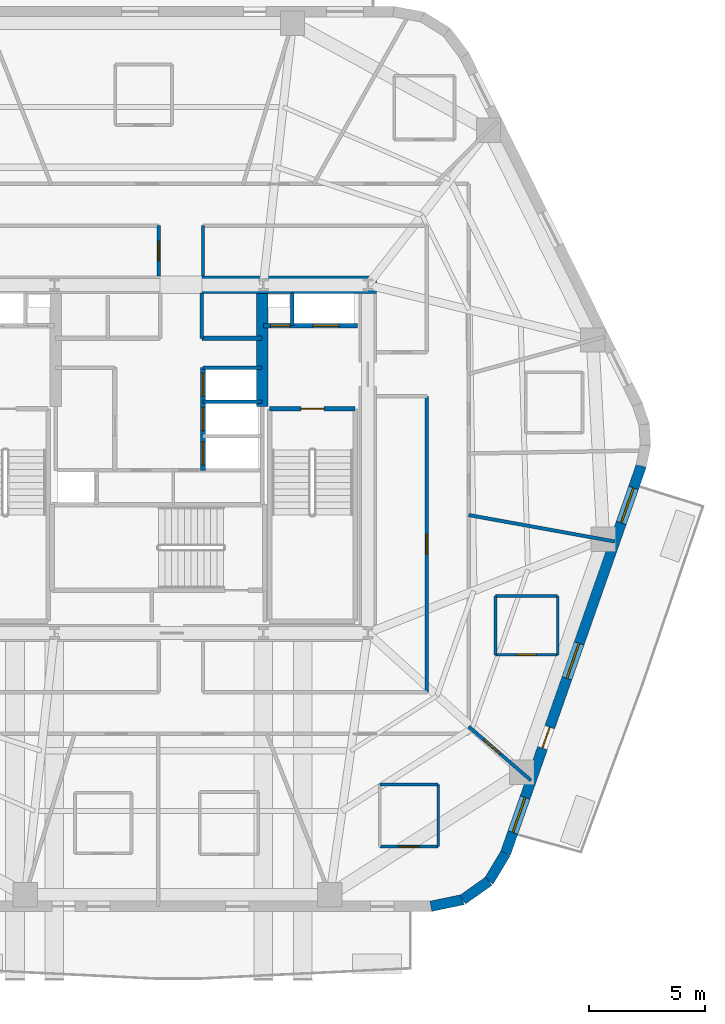
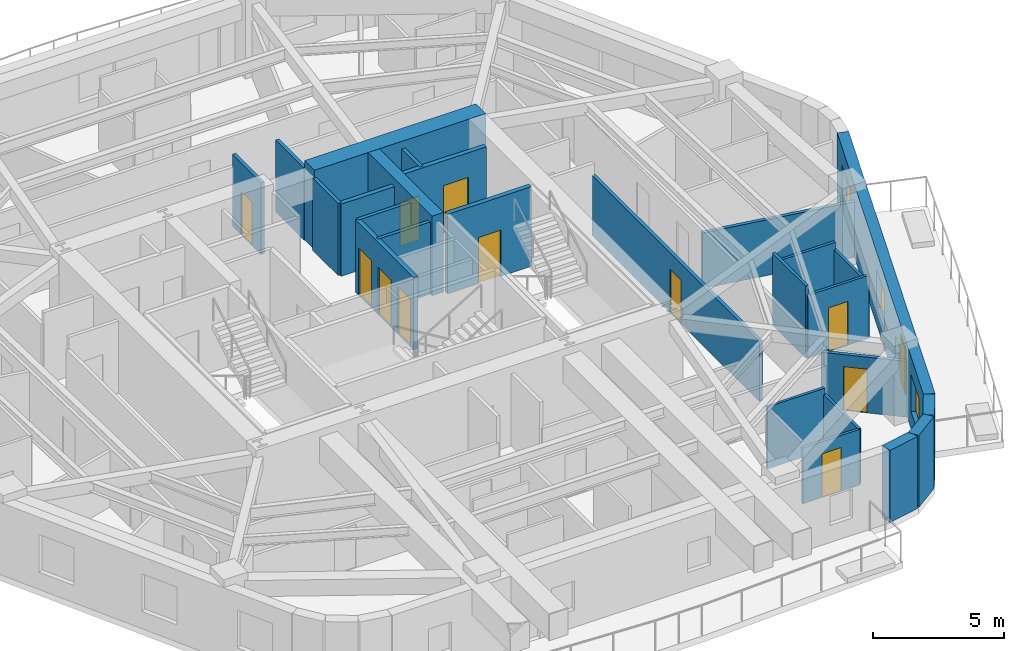
# One storey, part 5 of 11: 26 walls, 12 doors, 3 windows, 15 openings.
"""IFC4 building model written with IfcOpenShell, lengths in metres."""

from ifc_helpers import new_model, si_unit, direction, frame, frame_2d, origin, place, context, subcontext, project, spatial, rectangle, extrude, material, layer, layer_set, type_object, element, fill, save


model = new_model("IFC4")

# Units and contexts
model_context = context("Model", 3, precision=1e-05, world=origin(), true_north=direction((0.0, 1.0)))
body_context = subcontext(model_context, "Body", "Model", "MODEL_VIEW")
ifc_project = project(units=[si_unit("LENGTHUNIT", "METRE"), si_unit("AREAUNIT", "SQUARE_METRE"), si_unit("VOLUMEUNIT", "CUBIC_METRE"), si_unit("PLANEANGLEUNIT", "RADIAN"), si_unit("MASSUNIT", "GRAM", prefix="KILO")], contexts=[model_context])

# Site, building, storey
site_placement = place(None, origin())
site = spatial("IfcSite", under=ifc_project, at=site_placement, CompositionType="ELEMENT")
building_placement = place(site_placement, origin())
building = spatial("IfcBuilding", under=site, at=building_placement, Name="Kilnhurst Terrace Hotel", CompositionType="ELEMENT")
storey_placement = place(building_placement, frame((0.0, 0.0, 197.800048828125)))
storey = spatial("IfcBuildingStorey", under=building, at=storey_placement, Name="L49", CompositionType="ELEMENT", Elevation=197.800048828125)

# Walls
ifc_material_1 = material(Name="Precast concrete C40/50", Category="concrete")
ifc_layer_1 = layer(ifc_material_1, 0.449951171875, Name="Precast concrete C40/50")
ifc_layer_set_1 = layer_set([ifc_layer_1], Name="Precast concrete C40/50")
wall_type_1 = type_object("IfcWallType", Name="WL-BRK-450", PredefinedType="SOLIDWALL", material=ifc_layer_set_1)
wall_1_placement = place(storey_placement, frame((11.720458984375, -19.27490234375, 0.0), z_axis=(0.0, 0.0, 1.0), x_axis=(0.97893106758, 0.204191001093, 0.0)))
element("IfcWall", 1, at=wall_1_placement, inside=storey, type_object=wall_type_1, Name="L49 Rounded Corner Brick Wall C2.1", PredefinedType="SOLIDWALL", context=body_context, shape_type="SweptSolid", body=[
    extrude(rectangle(XDim=1.400146484375, YDim=0.449951171875, at=frame_2d((0.7001953125, 0.0))), origin(), (0.0, 0.0, 1.0), 3.349853515625),
])
wall_2_placement = place(storey_placement, frame((13.091064453125, -18.989013671875, 0.0), z_axis=(0.0, 0.0, 1.0), x_axis=(0.815574637848, 0.578651890258, 0.0)))
element("IfcWall", 2, at=wall_2_placement, inside=storey, type_object=wall_type_1, Name="L49 Rounded Corner Brick Wall C2.2", PredefinedType="SOLIDWALL", context=body_context, shape_type="SweptSolid", body=[
    extrude(rectangle(XDim=1.376708984375, YDim=0.449951171875, at=frame_2d((0.6884765625, 0.0))), origin(), (0.0, 0.0, 1.0), 3.349853515625),
])
wall_3_placement = place(storey_placement, frame((14.2138671875, -18.1923828125, 0.0), z_axis=(0.0, 0.0, 1.0), x_axis=(0.516340945502, 0.856383108193, 0.0)))
element("IfcWall", 3, at=wall_3_placement, inside=storey, type_object=wall_type_1, Name="L49 Rounded Corner Brick Wall C2.3", PredefinedType="SOLIDWALL", context=body_context, shape_type="SweptSolid", body=[
    extrude(rectangle(XDim=1.400146484375, YDim=0.449951171875, at=frame_2d((0.7001953125, 0.0))), origin(), (0.0, 0.0, 1.0), 3.349853515625),
])

# Wall, openings, door, windows
wall_4_placement = place(storey_placement, frame((14.936767578125, -16.993408203125, 0.0), z_axis=(0.0, 0.0, 1.0), x_axis=(0.330431575061, 0.943829949834, 0.0)))
wall_4 = element("IfcWall", 4, at=wall_4_placement, inside=storey, type_object=wall_type_1, Name="L49 Exterior Brick Facade Wall F2", PredefinedType="SOLIDWALL", context=body_context, shape_type="SweptSolid", body=[
    extrude(rectangle(XDim=17.68896484375, YDim=0.449951171875, at=frame_2d((8.844482421875, 0.0))), origin(), (0.0, 0.0, 1.0), 3.349853515625),
])
opening_1_placement = place(wall_4_placement, frame((4.806884765625, 0.0, 0.0)))
opening_1 = element("IfcOpeningElement", 5, at=opening_1_placement, cuts=wall_4, Name="Opening BD-950", PredefinedType="OPENING", context=body_context, shape_type="SweptSolid", body=[
    extrude(rectangle(XDim=0.949951171875, YDim=2.14990234375, at=frame_2d((0.47509765625, 1.074951171875))), frame((0.0, 0.23486328125, 0.0), z_axis=(0.0, -1.0, 0.0), x_axis=(1.0, 0.0, 0.0)), (0.0, 0.0, 1.0), 0.469970703125),
])
opening_2_placement = place(wall_4_placement, frame((0.949951171875, 0.0, 0.800048828125)))
opening_2 = element("IfcOpeningElement", 6, at=opening_2_placement, cuts=wall_4, Name="Opening W-05", PredefinedType="OPENING", context=body_context, shape_type="SweptSolid", body=[
    extrude(rectangle(XDim=1.60009765625, YDim=1.75, at=frame_2d((0.800048828125, 0.875))), frame((0.0, 0.23486328125, 0.0), z_axis=(0.0, -1.0, 0.0), x_axis=(1.0, 0.0, 0.0)), (0.0, 0.0, 1.0), 0.469970703125),
])
opening_3_placement = place(wall_4_placement, frame((7.989990234375, 0.0, 0.800048828125)))
opening_3 = element("IfcOpeningElement", 7, at=opening_3_placement, cuts=wall_4, Name="Opening W-05", PredefinedType="OPENING", context=body_context, shape_type="SweptSolid", body=[
    extrude(rectangle(XDim=1.60009765625, YDim=1.75, at=frame_2d((0.800048828125, 0.875))), frame((0.0, 0.23486328125, 0.0), z_axis=(0.0, -1.0, 0.0), x_axis=(1.0, 0.0, 0.0)), (0.0, 0.0, 1.0), 0.469970703125),
])
opening_4_placement = place(wall_4_placement, frame((15.083984375, 0.0, 0.800048828125)))
opening_4 = element("IfcOpeningElement", 8, at=opening_4_placement, cuts=wall_4, Name="Opening W-05", PredefinedType="OPENING", context=body_context, shape_type="SweptSolid", body=[
    extrude(rectangle(XDim=1.60009765625, YDim=1.75, at=frame_2d((0.800048828125, 0.875))), frame((0.0, 0.23486328125, 0.0), z_axis=(0.0, -1.0, 0.0), x_axis=(1.0, 0.0, 0.0)), (0.0, 0.0, 1.0), 0.469970703125),
])
ifc_material_2 = material(Name="Thermally Broken Bronze Aluminium Alloy 6063-T6 and Laminated Glass", Category="aluminium")
door_type_1 = type_object("IfcDoorType", Name="DR-EXT-BAL-950", OperationType="NOTDEFINED", PredefinedType="DOOR", material=ifc_material_2)
door_1_placement = place(opening_1_placement, origin())
door_1 = element("IfcDoor", 9, at=door_1_placement, inside=storey, type_object=door_type_1, Name="L49 Planted Balcony Door BAL-L1B", OperationType="SINGLE_SWING_RIGHT", OverallHeight=2.14990234375, OverallWidth=0.949951171875, PredefinedType="DOOR", context=body_context, shape_type="SweptSolid", body=[
    extrude(rectangle(XDim=0.949951171875, YDim=2.14990234375, at=frame_2d((0.47509765625, 1.074951171875))), frame((0.0, 0.02490234375, 0.0), z_axis=(0.0, -1.0, 0.0), x_axis=(1.0, 0.0, 0.0)), (0.0, 0.0, 1.0), 0.050048828125),
])
fill(opening_1, door_1)
ifc_material_3 = material(Name="Thermally Broken Bronze Aluminium Alloy 6063-T6 and Low-E Glass", Category="aluminium")
window_type = type_object("IfcWindowType", Name="WIN-1600X1750", PartitioningType="SINGLE_PANEL", PredefinedType="WINDOW", material=ifc_material_3)
window_1_placement = place(opening_2_placement, origin())
window_1 = element("IfcWindow", 10, at=window_1_placement, inside=storey, type_object=window_type, Name="L49 Deep-Set Masonry Window F2.1", OverallHeight=1.75, OverallWidth=1.60009765625, PartitioningType="SINGLE_PANEL", PredefinedType="WINDOW", context=body_context, shape_type="SweptSolid", body=[
    extrude(rectangle(XDim=1.60009765625, YDim=1.75, at=frame_2d((0.800048828125, 0.875))), frame((0.0, 0.030029296875, 0.0), z_axis=(0.0, -1.0, 0.0), x_axis=(1.0, 0.0, 0.0)), (0.0, 0.0, 1.0), 0.06005859375),
])
fill(opening_2, window_1)
window_2_placement = place(opening_3_placement, origin())
window_2 = element("IfcWindow", 11, at=window_2_placement, inside=storey, type_object=window_type, Name="L49 Deep-Set Masonry Window F2.2", OverallHeight=1.75, OverallWidth=1.60009765625, PartitioningType="SINGLE_PANEL", PredefinedType="WINDOW", context=body_context, shape_type="SweptSolid", body=[
    extrude(rectangle(XDim=1.60009765625, YDim=1.75, at=frame_2d((0.800048828125, 0.875))), frame((0.0, 0.030029296875, 0.0), z_axis=(0.0, -1.0, 0.0), x_axis=(1.0, 0.0, 0.0)), (0.0, 0.0, 1.0), 0.06005859375),
])
fill(opening_3, window_2)
window_3_placement = place(opening_4_placement, origin())
window_3 = element("IfcWindow", 12, at=window_3_placement, inside=storey, type_object=window_type, Name="L49 Deep-Set Masonry Window F2.3", OverallHeight=1.75, OverallWidth=1.60009765625, PartitioningType="SINGLE_PANEL", PredefinedType="WINDOW", context=body_context, shape_type="SweptSolid", body=[
    extrude(rectangle(XDim=1.60009765625, YDim=1.75, at=frame_2d((0.800048828125, 0.875))), frame((0.0, 0.030029296875, 0.0), z_axis=(0.0, -1.0, 0.0), x_axis=(1.0, 0.0, 0.0)), (0.0, 0.0, 1.0), 0.06005859375),
])
fill(opening_4, window_3)

# Wall, opening, door
ifc_material_4 = material(Name="Acoustic Double-Gypsum Corridor Partition Assembly")
ifc_layer_2 = layer(ifc_material_4, 0.14990234375, Name="Acoustic Double-Gypsum Corridor Partition Assembly")
ifc_layer_set_2 = layer_set([ifc_layer_2], Name="Acoustic Double-Gypsum Corridor Partition Assembly")
wall_type_2 = type_object("IfcWallType", Name="WL-COR-150", PredefinedType="PARTITIONING", material=ifc_layer_set_2)
wall_5_placement = place(storey_placement, frame((11.550048828125, -10.050048828125, 0.0), z_axis=(0.0, 0.0, 1.0), x_axis=(0.0, 1.0, 0.0)))
wall_5 = element("IfcWall", 13, at=wall_5_placement, inside=storey, type_object=wall_type_2, Name="L49 Interior Wall WL-L49-COR-05", PredefinedType="PARTITIONING", context=body_context, shape_type="SweptSolid", body=[
    extrude(rectangle(XDim=12.75, YDim=0.14990234375, at=frame_2d((6.375, 0.0))), origin(), (0.0, 0.0, 1.0), 2.7900390625),
])
opening_5_placement = place(wall_5_placement, frame((5.949951171875, 0.0, 0.0)))
opening_5 = element("IfcOpeningElement", 14, at=opening_5_placement, cuts=wall_5, Name="Opening D-60D", PredefinedType="OPENING", context=body_context, shape_type="SweptSolid", body=[
    extrude(rectangle(XDim=0.85009765625, YDim=2.030029296875, at=frame_2d((0.425048828125, 1.01513671875))), frame((0.0, 0.0849609375, 0.0), z_axis=(0.0, -1.0, 0.0), x_axis=(1.0, 0.0, 0.0)), (0.0, 0.0, 1.0), 0.169921875),
])
ifc_material_5 = material(Name="Painted Hollow Metal Steel ASTM A36 Riser Door", Category="steel")
door_type_2 = type_object("IfcDoorType", Name="DR-FD60-850", OperationType="NOTDEFINED", PredefinedType="DOOR", material=ifc_material_5)
door_2_placement = place(opening_5_placement, origin())
door_2 = element("IfcDoor", 15, at=door_2_placement, inside=storey, type_object=door_type_2, Name="L49 Floor Electrical Switch Room Door", OperationType="SINGLE_SWING_RIGHT", OverallHeight=2.030029296875, OverallWidth=0.85009765625, PredefinedType="DOOR", context=body_context, shape_type="SweptSolid", body=[
    extrude(rectangle(XDim=0.85009765625, YDim=2.030029296875, at=frame_2d((0.425048828125, 1.01513671875))), frame((0.0, 0.02490234375, 0.0), z_axis=(0.0, -1.0, 0.0), x_axis=(1.0, 0.0, 0.0)), (0.0, 0.0, 1.0), 0.050048828125),
])
fill(opening_5, door_2)

# Wall
wall_6_placement = place(storey_placement, frame((1.89990234375, 10.050048828125, 0.0), z_axis=(0.0, 0.0, 1.0), x_axis=(0.0, -1.0, 0.0)))
element("IfcWall", 16, at=wall_6_placement, inside=storey, type_object=wall_type_2, Name="L49 Interior Wall WL-L49-COR-10", PredefinedType="PARTITIONING", context=body_context, shape_type="SweptSolid", body=[
    extrude(rectangle(XDim=2.175048828125, YDim=0.14990234375, at=frame_2d((1.08740234375, 0.0))), origin(), (0.0, 0.0, 1.0), 3.349853515625),
])

# Wall, opening, door
wall_7_placement = place(storey_placement, frame((0.0, 7.875, 0.0), z_axis=(0.0, 0.0, 1.0), x_axis=(0.0, 1.0, 0.0)))
wall_7 = element("IfcWall", 17, at=wall_7_placement, inside=storey, type_object=wall_type_2, Name="L49 Interior Wall WL-L49-COR-11", PredefinedType="PARTITIONING", context=body_context, shape_type="SweptSolid", body=[
    extrude(rectangle(XDim=2.175048828125, YDim=0.14990234375, at=frame_2d((1.08740234375, 0.0))), origin(), (0.0, 0.0, 1.0), 3.349853515625),
])
opening_6_placement = place(wall_7_placement, frame((0.6630859375, 0.0, 0.0)))
opening_6 = element("IfcOpeningElement", 18, at=opening_6_placement, cuts=wall_7, Name="Opening D-60D", PredefinedType="OPENING", context=body_context, shape_type="SweptSolid", body=[
    extrude(rectangle(XDim=0.85009765625, YDim=2.030029296875, at=frame_2d((0.425048828125, 1.01513671875))), frame((0.0, 0.0849609375, 0.0), z_axis=(0.0, -1.0, 0.0), x_axis=(1.0, 0.0, 0.0)), (0.0, 0.0, 1.0), 0.169921875),
])
door_3_placement = place(opening_6_placement, origin())
door_3 = element("IfcDoor", 19, at=door_3_placement, inside=storey, type_object=door_type_2, Name="L49 Floor Valet Equipment Store Door", OperationType="SINGLE_SWING_RIGHT", OverallHeight=2.030029296875, OverallWidth=0.85009765625, PredefinedType="DOOR", context=body_context, shape_type="SweptSolid", body=[
    extrude(rectangle(XDim=0.85009765625, YDim=2.030029296875, at=frame_2d((0.425048828125, 1.01513671875))), frame((0.0, 0.02490234375, 0.0), z_axis=(0.0, -1.0, 0.0), x_axis=(1.0, 0.0, 0.0)), (0.0, 0.0, 1.0), 0.050048828125),
])
fill(opening_6, door_3)

# Walls
ifc_material_6 = material(Name="Concrete C60/75", Category="concrete")
ifc_layer_3 = layer(ifc_material_6, 0.75, Name="Concrete C60/75")
ifc_layer_set_3 = layer_set([ifc_layer_3], Name="Concrete C60/75")
wall_type_3 = type_object("IfcWallType", Name="WL-CORE-750", PredefinedType="SHEAR", material=ifc_layer_set_3)
wall_8_placement = place(storey_placement, frame((1.85009765625, 7.5, 0.0), z_axis=(0.0, 0.0, 1.0), x_axis=(1.0, 0.0, 0.0)))
element("IfcWall", 20, at=wall_8_placement, inside=storey, type_object=wall_type_3, Name="L49 Core North East Shear Wall", PredefinedType="SHEAR", context=body_context, shape_type="SweptSolid", body=[
    extrude(rectangle(XDim=7.52490234375, YDim=0.75, at=frame_2d((3.762451171875, 0.0))), origin(), (0.0, 0.0, 1.0), 3.699951171875),
])
ifc_layer_4 = layer(ifc_material_6, 0.5, Name="Concrete C60/75")
ifc_layer_set_4 = layer_set([ifc_layer_4], Name="Concrete C60/75")
wall_type_4 = type_object("IfcWallType", Name="WL-CORE-WEB-500", PredefinedType="SHEAR", material=ifc_layer_set_4)
wall_9_placement = place(storey_placement, frame((4.449951171875, 2.25, 0.0), z_axis=(0.0, 0.0, 1.0), x_axis=(0.0, 1.0, 0.0)))
element("IfcWall", 21, at=wall_9_placement, inside=storey, type_object=wall_type_4, Name="L49 Core Internal East Shear Web", PredefinedType="SHEAR", context=body_context, shape_type="SweptSolid", body=[
    extrude(rectangle(XDim=4.875, YDim=0.5, at=frame_2d((2.4375, 0.0))), origin(), (0.0, 0.0, 1.0), 3.699951171875),
])

# Wall, opening, door
ifc_material_7 = material(Name="STC-58 Acoustic Twin-Frame Guestroom Demising Partition")
ifc_layer_5 = layer(ifc_material_7, 0.14990234375, Name="STC-58 Acoustic Twin-Frame Guestroom Demising Partition")
ifc_layer_set_5 = layer_set([ifc_layer_5], Name="STC-58 Acoustic Twin-Frame Guestroom Demising Partition")
wall_type_5 = type_object("IfcWallType", Name="WL-DEM-150", PredefinedType="PARTITIONING", material=ifc_layer_set_5)
wall_10_placement = place(storey_placement, frame((13.35009765625, -11.53271484375, 0.0), z_axis=(0.0, 0.0, 1.0), x_axis=(0.756711647314, -0.65374879183, 0.0)))
wall_10 = element("IfcWall", 22, at=wall_10_placement, inside=storey, type_object=wall_type_5, Name="L49 Interior Wall WL-L49-DEM-COL11-16-1", PredefinedType="PARTITIONING", context=body_context, shape_type="SweptSolid", body=[
    extrude(rectangle(XDim=3.549560546875, YDim=0.14990234375, at=frame_2d((1.77490234375, 0.0))), origin(), (0.0, 0.0, 1.0), 2.58984375),
])
opening_7_placement = place(wall_10_placement, frame((0.875, 0.0, 0.0)))
opening_7 = element("IfcOpeningElement", 23, at=opening_7_placement, cuts=wall_10, Name="Opening D-09B", PredefinedType="OPENING", context=body_context, shape_type="SweptSolid", body=[
    extrude(rectangle(XDim=0.89990234375, YDim=2.030029296875, at=frame_2d((0.449951171875, 1.01513671875))), frame((0.0, 0.0849609375, 0.0), z_axis=(0.0, -1.0, 0.0), x_axis=(1.0, 0.0, 0.0)), (0.0, 0.0, 1.0), 0.169921875),
])
ifc_material_8 = material(Name="Moisture-Resistant Solid-Core Restroom Door")
door_type_3 = type_object("IfcDoorType", Name="DR-INT-900", OperationType="NOTDEFINED", PredefinedType="DOOR", material=ifc_material_8)
door_4_placement = place(opening_7_placement, origin())
door_4 = element("IfcDoor", 24, at=door_4_placement, inside=storey, type_object=door_type_3, Name="L49 Sky Residence Bedroom Door 15", OperationType="SINGLE_SWING_LEFT", OverallHeight=2.030029296875, OverallWidth=0.89990234375, PredefinedType="DOOR", context=body_context, shape_type="SweptSolid", body=[
    extrude(rectangle(XDim=0.89990234375, YDim=2.030029296875, at=frame_2d((0.449951171875, 1.01513671875))), frame((0.0, 0.02490234375, 0.0), z_axis=(0.0, -1.0, 0.0), x_axis=(1.0, 0.0, 0.0)), (0.0, 0.0, 1.0), 0.050048828125),
])
fill(opening_7, door_4)

# Wall
wall_11_placement = place(storey_placement, frame((13.35009765625, -2.417236328125, 0.0), z_axis=(0.0, 0.0, 1.0), x_axis=(0.98399796473, -0.178179699761, 0.0)))
element("IfcWall", 25, at=wall_11_placement, inside=storey, type_object=wall_type_5, Name="L49 Interior Wall WL-L49-DEM-COL12-17-1", PredefinedType="PARTITIONING", context=body_context, shape_type="SweptSolid", body=[
    extrude(rectangle(XDim=6.393310546875, YDim=0.14990234375, at=frame_2d((3.19677734375, 0.0))), origin(), (0.0, 0.0, 1.0), 2.58984375),
])

# Wall, opening, door
ifc_material_9 = material(Name="120 mm Moisture-Resistant Tile-Backed Bathroom Partition")
ifc_layer_6 = layer(ifc_material_9, 0.1201171875, Name="120 mm Moisture-Resistant Tile-Backed Bathroom Partition")
ifc_layer_set_6 = layer_set([ifc_layer_6], Name="120 mm Moisture-Resistant Tile-Backed Bathroom Partition")
wall_type_6 = type_object("IfcWallType", Name="WL-PART-120", PredefinedType="PARTITIONING", material=ifc_layer_set_6)
wall_12_placement = place(storey_placement, frame((9.51611328125, -16.701904296875, 0.0), z_axis=(0.0, 0.0, 1.0), x_axis=(1.0, 0.0, 0.0)))
wall_12 = element("IfcWall", 26, at=wall_12_placement, inside=storey, type_object=wall_type_6, Name="L49 Interior Wall WL-L49-KIT-15-1", PredefinedType="PARTITIONING", context=body_context, shape_type="SweptSolid", body=[
    extrude(rectangle(XDim=2.519775390625, YDim=0.1201171875, at=frame_2d((1.259765625, 0.0))), origin(), (0.0, 0.0, 1.0), 2.58984375),
])
opening_8_placement = place(wall_12_placement, frame((0.8349609375, 0.0, 0.0)))
opening_8 = element("IfcOpeningElement", 27, at=opening_8_placement, cuts=wall_12, Name="Opening D-08A", PredefinedType="OPENING", context=body_context, shape_type="SweptSolid", body=[
    extrude(rectangle(XDim=0.85009765625, YDim=2.030029296875, at=frame_2d((0.425048828125, 1.01513671875))), frame((0.0, 0.070068359375, 0.0), z_axis=(0.0, -1.0, 0.0), x_axis=(1.0, 0.0, 0.0)), (0.0, 0.0, 1.0), 0.14013671875),
])
ifc_material_10 = material(Name="Moisture-Resistant Lacquered En-suite Bathroom Door")
door_type_4 = type_object("IfcDoorType", Name="DR-INT-850", OperationType="NOTDEFINED", PredefinedType="DOOR", material=ifc_material_10)
door_5_placement = place(opening_8_placement, origin())
door_5 = element("IfcDoor", 28, at=door_5_placement, inside=storey, type_object=door_type_4, Name="L49 Sky Residence Kitchen Door 15", OperationType="SINGLE_SWING_RIGHT", OverallHeight=2.030029296875, OverallWidth=0.85009765625, PredefinedType="DOOR", context=body_context, shape_type="SweptSolid", body=[
    extrude(rectangle(XDim=0.85009765625, YDim=2.030029296875, at=frame_2d((0.425048828125, 1.01513671875))), frame((0.0, 0.02490234375, 0.0), z_axis=(0.0, -1.0, 0.0), x_axis=(1.0, 0.0, 0.0)), (0.0, 0.0, 1.0), 0.050048828125),
])
fill(opening_8, door_5)

# Walls
wall_13_placement = place(storey_placement, frame((12.035888671875, -16.701904296875, 0.0), z_axis=(0.0, 0.0, 1.0), x_axis=(0.0, 1.0, 0.0)))
element("IfcWall", 29, at=wall_13_placement, inside=storey, type_object=wall_type_6, Name="L49 Interior Wall WL-L49-KIT-15-2", PredefinedType="PARTITIONING", context=body_context, shape_type="SweptSolid", body=[
    extrude(rectangle(XDim=2.679931640625, YDim=0.1201171875, at=frame_2d((1.33984375, 0.0))), origin(), (0.0, 0.0, 1.0), 2.58984375),
])
wall_14_placement = place(storey_placement, frame((12.035888671875, -14.02197265625, 0.0), z_axis=(0.0, 0.0, 1.0), x_axis=(-1.0, 0.0, 0.0)))
element("IfcWall", 30, at=wall_14_placement, inside=storey, type_object=wall_type_6, Name="L49 Interior Wall WL-L49-KIT-15-3", PredefinedType="PARTITIONING", context=body_context, shape_type="SweptSolid", body=[
    extrude(rectangle(XDim=2.519775390625, YDim=0.1201171875, at=frame_2d((1.259765625, 0.0))), origin(), (0.0, 0.0, 1.0), 2.87646484375),
])

# Wall, opening, door
wall_15_placement = place(storey_placement, frame((14.5029296875, -8.43896484375, 0.0), z_axis=(0.0, 0.0, 1.0), x_axis=(1.0, 0.0, 0.0)))
wall_15 = element("IfcWall", 31, at=wall_15_placement, inside=storey, type_object=wall_type_6, Name="L49 Interior Wall WL-L49-RBTH-15-1", PredefinedType="PARTITIONING", context=body_context, shape_type="SweptSolid", body=[
    extrude(rectangle(XDim=2.68017578125, YDim=0.1201171875, at=frame_2d((1.340087890625, 0.0))), origin(), (0.0, 0.0, 1.0), 2.92236328125),
])
opening_9_placement = place(wall_15_placement, frame((0.9150390625, 0.0, 0.0)))
opening_9 = element("IfcOpeningElement", 32, at=opening_9_placement, cuts=wall_15, Name="Opening D-08A", PredefinedType="OPENING", context=body_context, shape_type="SweptSolid", body=[
    extrude(rectangle(XDim=0.85009765625, YDim=2.030029296875, at=frame_2d((0.425048828125, 1.01513671875))), frame((0.0, 0.070068359375, 0.0), z_axis=(0.0, -1.0, 0.0), x_axis=(1.0, 0.0, 0.0)), (0.0, 0.0, 1.0), 0.14013671875),
])
door_6_placement = place(opening_9_placement, origin())
door_6 = element("IfcDoor", 33, at=door_6_placement, inside=storey, type_object=door_type_4, Name="L49 Sky Residence Bathroom Door 15", OperationType="SINGLE_SWING_LEFT", OverallHeight=2.030029296875, OverallWidth=0.85009765625, PredefinedType="DOOR", context=body_context, shape_type="SweptSolid", body=[
    extrude(rectangle(XDim=0.85009765625, YDim=2.030029296875, at=frame_2d((0.425048828125, 1.01513671875))), frame((0.0, 0.02490234375, 0.0), z_axis=(0.0, -1.0, 0.0), x_axis=(1.0, 0.0, 0.0)), (0.0, 0.0, 1.0), 0.050048828125),
])
fill(opening_9, door_6)

# Walls
wall_16_placement = place(storey_placement, frame((17.18310546875, -8.43896484375, 0.0), z_axis=(0.0, 0.0, 1.0), x_axis=(0.0, 1.0, 0.0)))
element("IfcWall", 34, at=wall_16_placement, inside=storey, type_object=wall_type_6, Name="L49 Interior Wall WL-L49-RBTH-15-2", PredefinedType="PARTITIONING", context=body_context, shape_type="SweptSolid", body=[
    extrude(rectangle(XDim=2.5400390625, YDim=0.1201171875, at=frame_2d((1.27001953125, 0.0))), origin(), (0.0, 0.0, 1.0), 2.58984375),
])
wall_17_placement = place(storey_placement, frame((17.18310546875, -5.89892578125, 0.0), z_axis=(0.0, 0.0, 1.0), x_axis=(-1.0, 0.0, 0.0)))
element("IfcWall", 35, at=wall_17_placement, inside=storey, type_object=wall_type_6, Name="L49 Interior Wall WL-L49-RBTH-15-3", PredefinedType="PARTITIONING", context=body_context, shape_type="SweptSolid", body=[
    extrude(rectangle(XDim=2.68017578125, YDim=0.1201171875, at=frame_2d((1.340087890625, 0.0))), origin(), (0.0, 0.0, 1.0), 2.92236328125),
])
wall_18_placement = place(storey_placement, frame((14.5029296875, -5.89892578125, 0.0), z_axis=(0.0, 0.0, 1.0), x_axis=(0.0, -1.0, 0.0)))
element("IfcWall", 36, at=wall_18_placement, inside=storey, type_object=wall_type_6, Name="L49 Interior Wall WL-L49-RBTH-15-4", PredefinedType="PARTITIONING", context=body_context, shape_type="SweptSolid", body=[
    extrude(rectangle(XDim=2.5400390625, YDim=0.1201171875, at=frame_2d((1.27001953125, 0.0))), origin(), (0.0, 0.0, 1.0), 3.349853515625),
])
ifc_material_11 = material(Name="Fire-Rated Gypsum Shaftliner Assembly")
ifc_layer_7 = layer(ifc_material_11, 0.14990234375, Name="Fire-Rated Gypsum Shaftliner Assembly")
ifc_layer_set_7 = layer_set([ifc_layer_7], Name="Fire-Rated Gypsum Shaftliner Assembly")
wall_type_7 = type_object("IfcWallType", Name="WL-SHAFT-150", PredefinedType="PARTITIONING", material=ifc_layer_set_7)
wall_19_placement = place(storey_placement, frame((5.75, 5.739990234375, 0.0), z_axis=(0.0, 0.0, 1.0), x_axis=(0.0, 1.0, 0.0)))
element("IfcWall", 37, at=wall_19_placement, inside=storey, type_object=wall_type_7, Name="L49 Interior Wall WL-L49-RIS2-DIV", PredefinedType="PARTITIONING", context=body_context, shape_type="SweptSolid", body=[
    extrude(rectangle(XDim=1.409912109375, YDim=0.14990234375, at=frame_2d((0.705078125, 0.0))), origin(), (0.0, 0.0, 1.0), 3.349853515625),
])
wall_20_placement = place(storey_placement, frame((1.85009765625, 5.199951171875, 0.0), z_axis=(0.0, 0.0, 1.0), x_axis=(0.0, 1.0, 0.0)))
element("IfcWall", 38, at=wall_20_placement, inside=storey, type_object=wall_type_7, Name="L49 Interior Wall WL-L49-HR-PORTAL-E", PredefinedType="PARTITIONING", context=body_context, shape_type="SweptSolid", body=[
    extrude(rectangle(XDim=1.949951171875, YDim=0.14990234375, at=frame_2d((0.97509765625, 0.0))), origin(), (0.0, 0.0, 1.0), 3.349853515625),
])
for number, where, z_axis, x_axis, name in (
    (39, (1.89990234375, 3.93994140625, 0.0), (0.0, 0.0, 1.0), (1.0, 0.0, 0.0), "L49 Interior Wall WL-L49-MR-NORTH"),
    (40, (1.89990234375, 2.4599609375, 0.0), (0.0, 0.0, 1.0), (1.0, 0.0, 0.0), "L49 Interior Wall WL-L49-MR-D2"),
):
    element("IfcWall", number, at=place(storey_placement, frame(where, z_axis=z_axis, x_axis=x_axis)), inside=storey, type_object=wall_type_7, Name=name, PredefinedType="PARTITIONING", context=body_context, shape_type="SweptSolid", body=[
        extrude(rectangle(XDim=2.550048828125, YDim=0.14990234375, at=frame_2d((1.27490234375, 0.0))), origin(), (0.0, 0.0, 1.0), 3.349853515625),
    ])

# Wall, openings, doors
ifc_material_12 = material(Name="Autoclaved Aerated Concrete C30/37 and Gypsum Shaft Assembly", Category="concrete")
ifc_layer_8 = layer(ifc_material_12, 0.199951171875, Name="Autoclaved Aerated Concrete C30/37 and Gypsum Shaft Assembly")
ifc_layer_set_8 = layer_set([ifc_layer_8], Name="Autoclaved Aerated Concrete C30/37 and Gypsum Shaft Assembly")
wall_type_8 = type_object("IfcWallType", Name="WL-SHAFT-200", PredefinedType="PARTITIONING", material=ifc_layer_set_8)
wall_21_placement = place(storey_placement, frame((4.5, 5.739990234375, 0.0), z_axis=(0.0, 0.0, 1.0), x_axis=(1.0, 0.0, 0.0)))
wall_21 = element("IfcWall", 41, at=wall_21_placement, inside=storey, type_object=wall_type_8, Name="L49 Interior Wall WL-L49-FSAE2-S", PredefinedType="PARTITIONING", context=body_context, shape_type="SweptSolid", body=[
    extrude(rectangle(XDim=4.050048828125, YDim=0.199951171875, at=frame_2d((2.02490234375, 0.0))), origin(), (0.0, 0.0, 1.0), 3.349853515625),
])
opening_10_placement = place(wall_21_placement, frame((0.300048828125, 0.0, 0.0)))
opening_10 = element("IfcOpeningElement", 42, at=opening_10_placement, cuts=wall_21, Name="Opening D-60D", PredefinedType="OPENING", context=body_context, shape_type="SweptSolid", body=[
    extrude(rectangle(XDim=0.85009765625, YDim=2.030029296875, at=frame_2d((0.425048828125, 1.01513671875))), frame((0.0, 0.10986328125, 0.0), z_axis=(0.0, -1.0, 0.0), x_axis=(1.0, 0.0, 0.0)), (0.0, 0.0, 1.0), 0.219970703125),
])
opening_11_placement = place(wall_21_placement, frame((2.14990234375, 0.0, 0.0)))
opening_11 = element("IfcOpeningElement", 43, at=opening_11_placement, cuts=wall_21, Name="Opening LD-F2", PredefinedType="OPENING", context=body_context, shape_type="SweptSolid", body=[
    extrude(rectangle(XDim=1.10009765625, YDim=2.199951171875, at=frame_2d((0.550048828125, 1.10009765625))), frame((0.0, 0.10986328125, 0.0), z_axis=(0.0, -1.0, 0.0), x_axis=(1.0, 0.0, 0.0)), (0.0, 0.0, 1.0), 0.219970703125),
])
door_7_placement = place(opening_10_placement, origin())
door_7 = element("IfcDoor", 44, at=door_7_placement, inside=storey, type_object=door_type_2, Name="L49 Telecom Riser Door", OperationType="SINGLE_SWING_RIGHT", OverallHeight=2.030029296875, OverallWidth=0.85009765625, PredefinedType="DOOR", context=body_context, shape_type="SweptSolid", body=[
    extrude(rectangle(XDim=0.85009765625, YDim=2.030029296875, at=frame_2d((0.425048828125, 1.01513671875))), frame((0.0, 0.02490234375, 0.0), z_axis=(0.0, -1.0, 0.0), x_axis=(1.0, 0.0, 0.0)), (0.0, 0.0, 1.0), 0.050048828125),
])
fill(opening_10, door_7)
ifc_material_13 = material(Name="Bronze-Anodized Stainless Steel AISI 316L Sliding Door", Category="steel")
door_type_5 = type_object("IfcDoorType", Name="DR-LIFT-1100", OperationType="NOTDEFINED", PredefinedType="DOOR", material=ifc_material_13)
door_8_placement = place(opening_11_placement, origin())
door_8 = element("IfcDoor", 45, at=door_8_placement, inside=storey, type_object=door_type_5, Name="L49 FSAE-2 Landing Door", OperationType="SLIDING_TO_RIGHT", OverallHeight=2.199951171875, OverallWidth=1.10009765625, PredefinedType="DOOR", context=body_context, shape_type="SweptSolid", body=[
    extrude(rectangle(XDim=1.10009765625, YDim=2.199951171875, at=frame_2d((0.550048828125, 1.10009765625))), frame((0.0, 0.02490234375, 0.0), z_axis=(0.0, -1.0, 0.0), x_axis=(1.0, 0.0, 0.0)), (0.0, 0.0, 1.0), 0.050048828125),
])
fill(opening_11, door_8)

# Wall
wall_22_placement = place(storey_placement, frame((1.85009765625, 5.199951171875, 0.0), z_axis=(0.0, 0.0, 1.0), x_axis=(1.0, 0.0, 0.0)))
element("IfcWall", 46, at=wall_22_placement, inside=storey, type_object=wall_type_8, Name="L49 Interior Wall WL-L49-HR-SE", PredefinedType="PARTITIONING", context=body_context, shape_type="SweptSolid", body=[
    extrude(rectangle(XDim=2.599853515625, YDim=0.199951171875, at=frame_2d((1.2998046875, 0.0))), origin(), (0.0, 0.0, 1.0), 3.349853515625),
])

# Wall, openings, doors
wall_23_placement = place(storey_placement, frame((1.89990234375, -0.5, 0.0), z_axis=(0.0, 0.0, 1.0), x_axis=(0.0, 1.0, 0.0)))
wall_23 = element("IfcWall", 47, at=wall_23_placement, inside=storey, type_object=wall_type_8, Name="L49 Interior Wall WL-L49-MR-FRONT", PredefinedType="PARTITIONING", context=body_context, shape_type="SweptSolid", body=[
    extrude(rectangle(XDim=4.43994140625, YDim=0.199951171875, at=frame_2d((2.219970703125, 0.0))), origin(), (0.0, 0.0, 1.0), 3.349853515625),
])
opening_12_placement = place(wall_23_placement, frame((0.239990234375, 0.0, 0.0)))
opening_12 = element("IfcOpeningElement", 48, at=opening_12_placement, cuts=wall_23, Name="Opening LD-MR", PredefinedType="OPENING", context=body_context, shape_type="SweptSolid", body=[
    extrude(rectangle(XDim=1.0, YDim=2.199951171875, at=frame_2d((0.5, 1.10009765625))), frame((0.0, 0.10986328125, 0.0), z_axis=(0.0, -1.0, 0.0), x_axis=(1.0, 0.0, 0.0)), (0.0, 0.0, 1.0), 0.219970703125),
])
opening_13_placement = place(wall_23_placement, frame((1.719970703125, 0.0, 0.0)))
opening_13 = element("IfcOpeningElement", 49, at=opening_13_placement, cuts=wall_23, Name="Opening LD-MR", PredefinedType="OPENING", context=body_context, shape_type="SweptSolid", body=[
    extrude(rectangle(XDim=1.0, YDim=2.199951171875, at=frame_2d((0.5, 1.10009765625))), frame((0.0, 0.10986328125, 0.0), z_axis=(0.0, -1.0, 0.0), x_axis=(1.0, 0.0, 0.0)), (0.0, 0.0, 1.0), 0.219970703125),
])
opening_14_placement = place(wall_23_placement, frame((3.199951171875, 0.0, 0.0)))
opening_14 = element("IfcOpeningElement", 50, at=opening_14_placement, cuts=wall_23, Name="Opening LD-MR", PredefinedType="OPENING", context=body_context, shape_type="SweptSolid", body=[
    extrude(rectangle(XDim=1.0, YDim=2.199951171875, at=frame_2d((0.5, 1.10009765625))), frame((0.0, 0.10986328125, 0.0), z_axis=(0.0, -1.0, 0.0), x_axis=(1.0, 0.0, 0.0)), (0.0, 0.0, 1.0), 0.219970703125),
])
door_type_6 = type_object("IfcDoorType", Name="DR-LIFT-1000", OperationType="NOTDEFINED", PredefinedType="DOOR", material=ifc_material_13)
door_9_placement = place(opening_12_placement, origin())
door_9 = element("IfcDoor", 51, at=door_9_placement, inside=storey, type_object=door_type_6, Name="L49 Mid Rise Lift MR-1 Landing Door", OperationType="SLIDING_TO_RIGHT", OverallHeight=2.199951171875, OverallWidth=1.0, PredefinedType="DOOR", context=body_context, shape_type="SweptSolid", body=[
    extrude(rectangle(XDim=1.0, YDim=2.199951171875, at=frame_2d((0.5, 1.10009765625))), frame((0.0, 0.02490234375, 0.0), z_axis=(0.0, -1.0, 0.0), x_axis=(1.0, 0.0, 0.0)), (0.0, 0.0, 1.0), 0.050048828125),
])
fill(opening_12, door_9)
door_10_placement = place(opening_13_placement, origin())
door_10 = element("IfcDoor", 52, at=door_10_placement, inside=storey, type_object=door_type_6, Name="L49 Mid Rise Lift MR-2 Landing Door", OperationType="SLIDING_TO_RIGHT", OverallHeight=2.199951171875, OverallWidth=1.0, PredefinedType="DOOR", context=body_context, shape_type="SweptSolid", body=[
    extrude(rectangle(XDim=1.0, YDim=2.199951171875, at=frame_2d((0.5, 1.10009765625))), frame((0.0, 0.02490234375, 0.0), z_axis=(0.0, -1.0, 0.0), x_axis=(1.0, 0.0, 0.0)), (0.0, 0.0, 1.0), 0.050048828125),
])
fill(opening_13, door_10)
door_11_placement = place(opening_14_placement, origin())
door_11 = element("IfcDoor", 53, at=door_11_placement, inside=storey, type_object=door_type_6, Name="L49 Mid Rise Lift MR-3 Landing Door", OperationType="SLIDING_TO_RIGHT", OverallHeight=2.199951171875, OverallWidth=1.0, PredefinedType="DOOR", context=body_context, shape_type="SweptSolid", body=[
    extrude(rectangle(XDim=1.0, YDim=2.199951171875, at=frame_2d((0.5, 1.10009765625))), frame((0.0, 0.02490234375, 0.0), z_axis=(0.0, -1.0, 0.0), x_axis=(1.0, 0.0, 0.0)), (0.0, 0.0, 1.0), 0.050048828125),
])
fill(opening_14, door_11)

# Wall, opening, door
ifc_material_14 = material(Name="Concrete C50/60", Category="concrete")
ifc_layer_9 = layer(ifc_material_14, 0.199951171875, Name="Concrete C50/60")
ifc_layer_set_9 = layer_set([ifc_layer_9], Name="Concrete C50/60")
wall_type_9 = type_object("IfcWallType", Name="WL-STAIR-RC-200", PredefinedType="SHEAR", material=ifc_layer_set_9)
wall_24_placement = place(storey_placement, frame((4.77197265625, 2.157958984375, 0.0), z_axis=(0.0, 0.0, 1.0), x_axis=(1.0, 0.0, 0.0)))
wall_24 = element("IfcWall", 54, at=wall_24_placement, inside=storey, type_object=wall_type_9, Name="L49 Structural Stair Shaft Wall WL-L49-ST2-N", PredefinedType="SHEAR", context=body_context, shape_type="SweptSolid", body=[
    extrude(rectangle(XDim=3.68603515625, YDim=0.199951171875, at=frame_2d((1.843017578125, 0.0))), origin(), (0.0, 0.0, 1.0), 3.699951171875),
])
opening_15_placement = place(wall_24_placement, frame((1.35009765625, 0.0, 0.0)))
opening_15 = element("IfcOpeningElement", 55, at=opening_15_placement, cuts=wall_24, Name="Opening D-90B", PredefinedType="OPENING", context=body_context, shape_type="SweptSolid", body=[
    extrude(rectangle(XDim=1.0, YDim=2.14990234375, at=frame_2d((0.5, 1.074951171875))), frame((0.0, 0.10986328125, 0.0), z_axis=(0.0, -1.0, 0.0), x_axis=(1.0, 0.0, 0.0)), (0.0, 0.0, 1.0), 0.219970703125),
])
ifc_material_15 = material(Name="Painted Hollow Metal Steel ASTM A36 Fire Door", Category="steel")
door_type_7 = type_object("IfcDoorType", Name="DR-FD90-1000", OperationType="NOTDEFINED", PredefinedType="DOOR", material=ifc_material_15)
door_12_placement = place(opening_15_placement, origin())
door_12 = element("IfcDoor", 56, at=door_12_placement, inside=storey, type_object=door_type_7, Name="L49 Stair ST-2 Door", OperationType="SINGLE_SWING_RIGHT", OverallHeight=2.14990234375, OverallWidth=1.0, PredefinedType="DOOR", context=body_context, shape_type="SweptSolid", body=[
    extrude(rectangle(XDim=1.0, YDim=2.14990234375, at=frame_2d((0.5, 1.074951171875))), frame((0.0, 0.02490234375, 0.0), z_axis=(0.0, -1.0, 0.0), x_axis=(1.0, 0.0, 0.0)), (0.0, 0.0, 1.0), 0.050048828125),
])
fill(opening_15, door_12)

save(model, "model.ifc")
